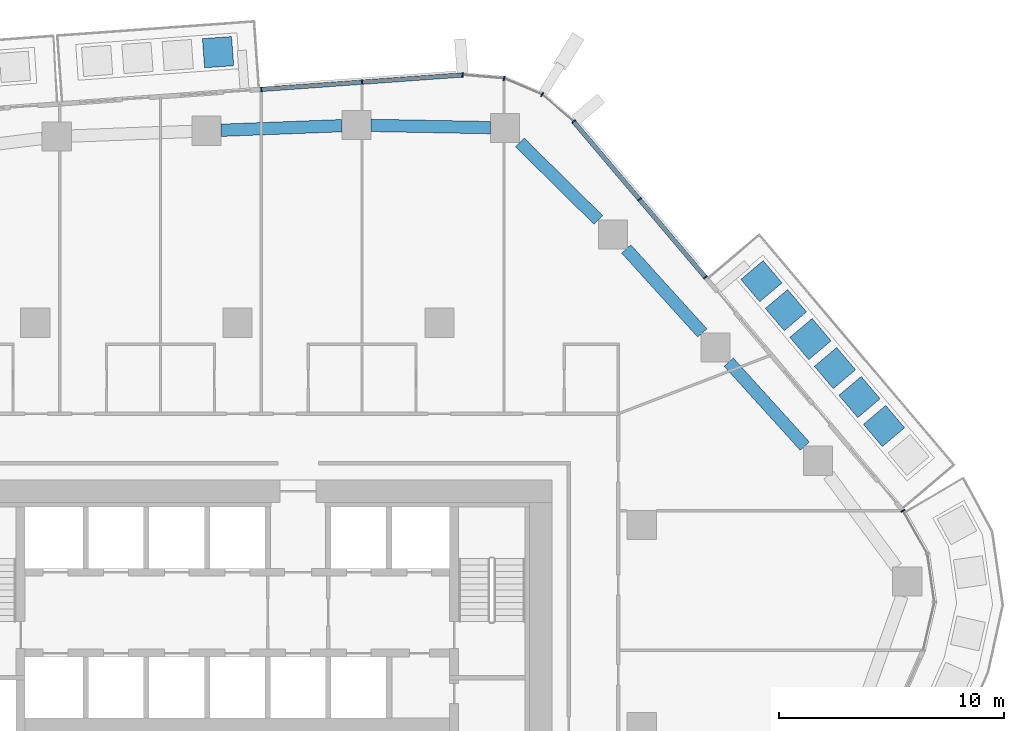
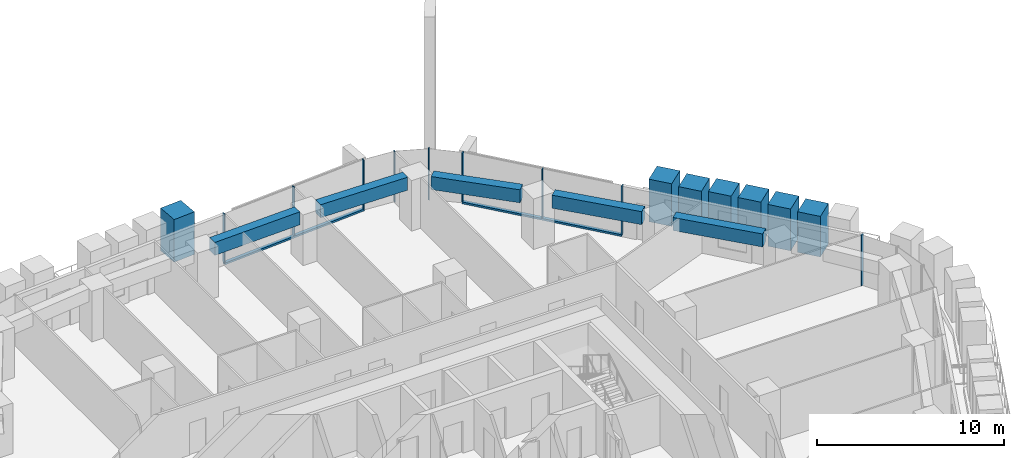
# One storey, part 8 of 24: 18 members, 5 beams, 4 elements without a shape of their own.
"""IFC4 building model written with IfcOpenShell, lengths in metres."""

from ifc_helpers import new_model, si_unit, direction, frame, origin, origin_2d, place, context, subcontext, project, spatial, rectangle, extrude, material, layer, layer_set, material_profile, profile_set, type_object, element, aggregate, save


model = new_model("IFC4")

# Units and contexts
model_context = context("Model", 3, precision=1e-05, world=origin(), true_north=direction((0.0, 1.0)))
body_context = subcontext(model_context, "Body", "Model", "MODEL_VIEW")
ifc_project = project(units=[si_unit("LENGTHUNIT", "METRE"), si_unit("AREAUNIT", "SQUARE_METRE"), si_unit("VOLUMEUNIT", "CUBIC_METRE"), si_unit("PLANEANGLEUNIT", "RADIAN"), si_unit("MASSUNIT", "GRAM", prefix="KILO")], contexts=[model_context])

# Site, building, storey
site_placement = place(None, origin())
site = spatial("IfcSite", under=ifc_project, at=site_placement, CompositionType="ELEMENT")
building_placement = place(site_placement, origin())
building = spatial("IfcBuilding", under=site, at=building_placement, Name="Dongbaek Canopy Tower", CompositionType="ELEMENT")
storey_placement = place(building_placement, frame((0.0, 0.0, 106.300048828125)))
storey = spatial("IfcBuildingStorey", under=building, at=storey_placement, Name="L22", CompositionType="ELEMENT", Elevation=106.300048828125)

# Curtain wall, member
ifc_material_1 = material(Name="Aluminium 6063-T6 pale anodised", Category="aluminium")
ifc_layer = layer(ifc_material_1, 0.199951171875)
ifc_layer_set = layer_set([ifc_layer], Name="CW-1 unitised tower curtain wall")
curtain_wall_type = type_object("IfcCurtainWallType", Name="CW-1 unitised tower curtain wall", PredefinedType="NOTDEFINED", material=ifc_layer_set)
curtain_wall_1_placement = place(storey_placement, origin())
curtain_wall_1 = element("IfcCurtainWall", 1, at=curtain_wall_1_placement, inside=storey, type_object=curtain_wall_type, Name="CW-1 curtain wall K0.1", PredefinedType="NOTDEFINED")
ifc_material_2 = material(Name="Aluminium 6063-T6 pale anodised", Category="aluminium")
ifc_material_profile_1 = material_profile(ifc_material_2, rectangle(XDim=0.199951171875, YDim=0.06005859375, at=origin_2d()), Name="CW-1 mullion 60 x 200")
ifc_profile_set_1 = profile_set([ifc_material_profile_1], Name="Aluminium 6063-T6 pale anodised")
member_type_1 = type_object("IfcMemberType", Name="CW-1 mullion 60 x 200", PredefinedType="MULLION", material=ifc_profile_set_1)
member_1_placement = place(storey_placement, frame((29.626220703125, 9.6357421875, 0.0), z_axis=(0.0, 0.0, 1.0), x_axis=(0.869723883779, 0.493538616507, 0.0)))
member_1 = element("IfcMember", 2, at=member_1_placement, type_object=member_type_1, Name="CW-1 mullion K0.1.4", PredefinedType="MULLION", context=body_context, shape_type="SweptSolid", body=[
    extrude(rectangle(XDim=0.199951171875, YDim=0.06005859375, at=origin_2d()), origin(), (0.0, 0.0, 1.0), 3.300048828125),
])
aggregate(curtain_wall_1, [member_1])

# Curtain wall, members
curtain_wall_2_placement = place(storey_placement, origin())
curtain_wall_2 = element("IfcCurtainWall", 3, at=curtain_wall_2_placement, inside=storey, type_object=curtain_wall_type, Name="CW-1 curtain wall F0.1", PredefinedType="NOTDEFINED")
member_2_placement = place(storey_placement, frame((20.830078125, 20.028076171875, 0.119873046875), z_axis=(0.0, 0.0, 1.0), x_axis=(0.763289924972, 0.646056104712, 0.0)))
member_2 = element("IfcMember", 4, at=member_2_placement, type_object=member_type_1, Name="CW-1 mullion F0.1.1", PredefinedType="MULLION", context=body_context, shape_type="SweptSolid", body=[
    extrude(rectangle(XDim=0.199951171875, YDim=0.06005859375, at=origin_2d()), origin(), (0.0, 0.0, 1.0), 3.18017578125),
])
member_3_placement = place(storey_placement, frame((17.89599609375, 23.49462890625, 0.119873046875), z_axis=(0.0, 0.0, 1.0), x_axis=(0.763289924972, 0.646056104712, 0.0)))
member_3 = element("IfcMember", 5, at=member_3_placement, type_object=member_type_1, Name="CW-1 mullion F0.1.2", PredefinedType="MULLION", context=body_context, shape_type="SweptSolid", body=[
    extrude(rectangle(XDim=0.199951171875, YDim=0.06005859375, at=origin_2d()), origin(), (0.0, 0.0, 1.0), 3.18017578125),
])
member_4_placement = place(storey_placement, frame((14.966796875, 26.955078125, 0.119873046875), z_axis=(0.0, 0.0, 1.0), x_axis=(0.763289924972, 0.646056104712, 0.0)))
member_4 = element("IfcMember", 6, at=member_4_placement, type_object=member_type_1, Name="CW-1 mullion F0.1.3", PredefinedType="MULLION", context=body_context, shape_type="SweptSolid", body=[
    extrude(rectangle(XDim=0.199951171875, YDim=0.06005859375, at=origin_2d()), origin(), (0.0, 0.0, 1.0), 3.18017578125),
])

curtain_wall_3_placement = place(storey_placement, origin())
curtain_wall_3 = element("IfcCurtainWall", 7, at=curtain_wall_3_placement, inside=storey, type_object=curtain_wall_type, Name="CW-1 curtain wall K1.1", PredefinedType="NOTDEFINED")
member_5_placement = place(storey_placement, frame((13.566650390625, 28.162841796875, 0.0), z_axis=(0.0, 0.0, 1.0), x_axis=(0.526936494686, 0.849904659693, 0.0)))
member_5 = element("IfcMember", 8, at=member_5_placement, type_object=member_type_1, Name="CW-1 mullion K1.1.2", PredefinedType="MULLION", context=body_context, shape_type="SweptSolid", body=[
    extrude(rectangle(XDim=0.199951171875, YDim=0.06005859375, at=origin_2d()), origin(), (0.0, 0.0, 1.0), 3.300048828125),
])
member_6_placement = place(storey_placement, frame((11.86962890625, 28.876953125, 0.0), z_axis=(0.0, 0.0, 1.0), x_axis=(0.239250398447, 0.970957901684, 0.0)))
member_6 = element("IfcMember", 9, at=member_6_placement, type_object=member_type_1, Name="CW-1 mullion K1.1.3", PredefinedType="MULLION", context=body_context, shape_type="SweptSolid", body=[
    extrude(rectangle(XDim=0.199951171875, YDim=0.06005859375, at=origin_2d()), origin(), (0.0, 0.0, 1.0), 3.300048828125),
])
member_7_placement = place(storey_placement, frame((10.02734375, 29.03369140625, 0.0), z_axis=(0.0, 0.0, 1.0), x_axis=(0.084792698641, 0.996398614139, 0.0)))
member_7 = element("IfcMember", 10, at=member_7_placement, type_object=member_type_1, Name="CW-1 mullion K1.1.4", PredefinedType="MULLION", context=body_context, shape_type="SweptSolid", body=[
    extrude(rectangle(XDim=0.199951171875, YDim=0.06005859375, at=origin_2d()), origin(), (0.0, 0.0, 1.0), 3.300048828125),
])
aggregate(curtain_wall_3, [member_5, member_6, member_7])

curtain_wall_4_placement = place(storey_placement, origin())
curtain_wall_4 = element("IfcCurtainWall", 11, at=curtain_wall_4_placement, inside=storey, type_object=curtain_wall_type, Name="CW-1 curtain wall F1.1", PredefinedType="NOTDEFINED")
member_8_placement = place(storey_placement, frame((5.549072265625, 28.71142578125, 0.119873046875), z_axis=(0.0, 0.0, 1.0), x_axis=(-0.071742796309, 0.997423165551, 0.0)))
member_8 = element("IfcMember", 12, at=member_8_placement, type_object=member_type_1, Name="CW-1 mullion F1.1.2", PredefinedType="MULLION", context=body_context, shape_type="SweptSolid", body=[
    extrude(rectangle(XDim=0.199951171875, YDim=0.06005859375, at=origin_2d()), origin(), (0.0, 0.0, 1.0), 3.18017578125),
])
member_9_placement = place(storey_placement, frame((1.06298828125, 28.388916015625, 0.119873046875), z_axis=(0.0, 0.0, 1.0), x_axis=(-0.071742796309, 0.997423165551, 0.0)))
member_9 = element("IfcMember", 13, at=member_9_placement, type_object=member_type_1, Name="CW-1 mullion F1.1.3", PredefinedType="MULLION", context=body_context, shape_type="SweptSolid", body=[
    extrude(rectangle(XDim=0.199951171875, YDim=0.06005859375, at=origin_2d()), origin(), (0.0, 0.0, 1.0), 3.18017578125),
])

# Member
ifc_material_3 = material(Name="Aluminium 6063-T6 pale anodised", Category="aluminium")
ifc_material_profile_2 = material_profile(ifc_material_3, rectangle(XDim=0.199951171875, YDim=0.1201171875, at=origin_2d()), Name="CW-1 transom 120 x 200")
ifc_profile_set_2 = profile_set([ifc_material_profile_2], Name="Aluminium 6063-T6 pale anodised")
member_type_2 = type_object("IfcMemberType", Name="CW-1 transom 120 x 200", PredefinedType="USERDEFINED", material=ifc_profile_set_2)
member_10_placement = place(storey_placement, frame((20.830078125, 20.028076171875, 0.06005859375), z_axis=(-0.646068855634, 0.763279132283, 0.0), x_axis=(-0.763279132283, -0.646068855634, 0.0)))
member_10 = element("IfcMember", 14, at=member_10_placement, type_object=member_type_2, Name="CW-1 transom F0.1.1", ObjectType="TRANSOM", PredefinedType="USERDEFINED", context=body_context, shape_type="SweptSolid", body=[
    extrude(rectangle(XDim=0.199951171875, YDim=0.1201171875, at=origin_2d()), origin(), (0.0, 0.0, 1.0), 9.075439453125),
])

aggregate(curtain_wall_2, [member_2, member_3, member_4, member_10])

member_11_placement = place(storey_placement, frame((10.02734375, 29.03369140625, 0.06005859375), z_axis=(-0.997423277442, -0.071741240692, 0.0), x_axis=(0.071741240692, -0.997423277442, 0.0)))
member_11 = element("IfcMember", 15, at=member_11_placement, type_object=member_type_2, Name="CW-1 transom F1.1.1", ObjectType="TRANSOM", PredefinedType="USERDEFINED", context=body_context, shape_type="SweptSolid", body=[
    extrude(rectangle(XDim=0.199951171875, YDim=0.1201171875, at=origin_2d()), origin(), (0.0, 0.0, 1.0), 8.987548828125),
])

aggregate(curtain_wall_4, [member_8, member_9, member_11])

# Beams
ifc_material_4 = material(Name="Concrete C80", Category="concrete")
ifc_material_profile_3 = material_profile(ifc_material_4, rectangle(XDim=0.550048828125, YDim=0.85009765625, at=origin_2d()), Name="RC EDGE BEAM 550x850 C80")
ifc_profile_set_3 = profile_set([ifc_material_profile_3], Name="Concrete C80")
beam_type = type_object("IfcBeamType", Name="RC EDGE BEAM 550x850 C80", PredefinedType="BEAM", material=ifc_profile_set_3)
beam_1_placement = place(storey_placement, frame((-0.721923828125, 26.56884765625, 2.875), z_axis=(0.999275939063, 0.03804730751, 0.0), x_axis=(-0.03804730751, 0.999275939063, 0.0)))
element("IfcBeam", 16, at=beam_1_placement, inside=storey, type_object=beam_type, Name="EDGEBEAM:L22:15", PredefinedType="BEAM", context=body_context, shape_type="SweptSolid", body=[
    extrude(rectangle(XDim=0.550048828125, YDim=0.85009765625, at=origin_2d()), origin(), (0.0, 0.0, 1.0), 5.370849609375),
])
beam_2_placement = place(storey_placement, frame((5.945068359375, 26.785888671875, 2.875), z_axis=(0.999824893163, -0.018713177504, 0.0), x_axis=(0.018713177504, 0.999824893163, 0.0)))
element("IfcBeam", 17, at=beam_2_placement, inside=storey, type_object=beam_type, Name="EDGEBEAM:L22:16", PredefinedType="BEAM", context=body_context, shape_type="SweptSolid", body=[
    extrude(rectangle(XDim=0.550048828125, YDim=0.85009765625, at=origin_2d()), origin(), (0.0, 0.0, 1.0), 5.322998046875),
])
beam_3_placement = place(storey_placement, frame((12.56689453125, 26.032470703125, 2.875), z_axis=(0.711707070228, -0.702476366995, 0.0), x_axis=(0.702476366995, 0.711707070228, 0.0)))
element("IfcBeam", 18, at=beam_3_placement, inside=storey, type_object=beam_type, Name="EDGEBEAM:L22:17", PredefinedType="BEAM", context=body_context, shape_type="SweptSolid", body=[
    extrude(rectangle(XDim=0.550048828125, YDim=0.85009765625, at=origin_2d()), origin(), (0.0, 0.0, 1.0), 4.91943359375),
])
beam_4_placement = place(storey_placement, frame((17.306640625, 21.284912109375, 2.875), z_axis=(0.671331632341, -0.741157094966, 0.0), x_axis=(0.741157094966, 0.671331632341, 0.0)))
element("IfcBeam", 19, at=beam_4_placement, inside=storey, type_object=beam_type, Name="EDGEBEAM:L22:18", PredefinedType="BEAM", context=body_context, shape_type="SweptSolid", body=[
    extrude(rectangle(XDim=0.550048828125, YDim=0.85009765625, at=origin_2d()), origin(), (0.0, 0.0, 1.0), 5.041748046875),
])
beam_5_placement = place(storey_placement, frame((21.86865234375, 16.248046875, 2.875), z_axis=(0.671270897358, -0.74121210349, 0.0), x_axis=(0.74121210349, 0.671270897358, 0.0)))
element("IfcBeam", 20, at=beam_5_placement, inside=storey, type_object=beam_type, Name="EDGEBEAM:L22:19", PredefinedType="BEAM", context=body_context, shape_type="SweptSolid", body=[
    extrude(rectangle(XDim=0.550048828125, YDim=0.85009765625, at=origin_2d()), origin(), (0.0, 0.0, 1.0), 5.04052734375),
])

# Members
ifc_material_5 = material(Name="Concrete C40/50 planter mass with planting", Category="concrete")
ifc_material_profile_4 = material_profile(ifc_material_5, rectangle(XDim=1.300048828125, YDim=1.300048828125, at=origin_2d()), Name="Terrace PLANTER shrub mass 1300 x 1300")
ifc_profile_set_4 = profile_set([ifc_material_profile_4], Name="Concrete C40/50 planter mass with planting")
member_type_3 = type_object("IfcMemberType", Name="Terrace PLANTER shrub mass 1300 x 1300", PredefinedType="USERDEFINED", material=ifc_profile_set_4)
member_12_placement = place(storey_placement, frame((28.780029296875, 13.406005859375, 0.419921875), z_axis=(0.0, 0.0, 1.0), x_axis=(0.763289924972, 0.646056104712, 0.0)))
element("IfcMember", 21, at=member_12_placement, inside=storey, type_object=member_type_3, Name="Planter shrubs L22 1.2", ObjectType="PLANTER", PredefinedType="USERDEFINED", context=body_context, shape_type="SweptSolid", body=[
    extrude(rectangle(XDim=1.300048828125, YDim=1.300048828125, at=origin_2d()), origin(), (0.0, 0.0, 1.0), 2.650146484375),
])
member_13_placement = place(storey_placement, frame((27.688720703125, 14.695556640625, 0.419921875), z_axis=(0.0, 0.0, 1.0), x_axis=(0.763289924972, 0.646056104712, 0.0)))
element("IfcMember", 22, at=member_13_placement, inside=storey, type_object=member_type_3, Name="Planter shrubs L22 1.3", ObjectType="PLANTER", PredefinedType="USERDEFINED", context=body_context, shape_type="SweptSolid", body=[
    extrude(rectangle(XDim=1.300048828125, YDim=1.300048828125, at=origin_2d()), origin(), (0.0, 0.0, 1.0), 2.72998046875),
])
member_14_placement = place(storey_placement, frame((26.597412109375, 15.98486328125, 0.419921875), z_axis=(0.0, 0.0, 1.0), x_axis=(0.763289924972, 0.646056104712, 0.0)))
element("IfcMember", 23, at=member_14_placement, inside=storey, type_object=member_type_3, Name="Planter shrubs L22 1.4", ObjectType="PLANTER", PredefinedType="USERDEFINED", context=body_context, shape_type="SweptSolid", body=[
    extrude(rectangle(XDim=1.300048828125, YDim=1.300048828125, at=origin_2d()), origin(), (0.0, 0.0, 1.0), 2.780029296875),
])
member_15_placement = place(storey_placement, frame((25.506103515625, 17.274169921875, 0.419921875), z_axis=(0.0, 0.0, 1.0), x_axis=(0.763289924972, 0.646056104712, 0.0)))
element("IfcMember", 24, at=member_15_placement, inside=storey, type_object=member_type_3, Name="Planter shrubs L22 1.5", ObjectType="PLANTER", PredefinedType="USERDEFINED", context=body_context, shape_type="SweptSolid", body=[
    extrude(rectangle(XDim=1.300048828125, YDim=1.300048828125, at=origin_2d()), origin(), (0.0, 0.0, 1.0), 2.77001953125),
])
member_16_placement = place(storey_placement, frame((24.414794921875, 18.5634765625, 0.419921875), z_axis=(0.0, 0.0, 1.0), x_axis=(0.763289924972, 0.646056104712, 0.0)))
element("IfcMember", 25, at=member_16_placement, inside=storey, type_object=member_type_3, Name="Planter shrubs L22 1.6", ObjectType="PLANTER", PredefinedType="USERDEFINED", context=body_context, shape_type="SweptSolid", body=[
    extrude(rectangle(XDim=1.300048828125, YDim=1.300048828125, at=origin_2d()), origin(), (0.0, 0.0, 1.0), 2.68994140625),
])
for number, where, z_axis, x_axis, name in (
    (26, (23.323486328125, 19.85302734375, 0.419921875), (0.0, 0.0, 1.0), (0.763289924972, 0.646056104712, 0.0), "Planter shrubs L22 1.7"),
    (27, (-0.8603515625, 30.045166015625, 0.419921875), (0.0, 0.0, 1.0), (-0.071742796309, 0.997423165551, 0.0), "Planter shrubs L22 2.1"),
):
    element("IfcMember", number, at=place(storey_placement, frame(where, z_axis=z_axis, x_axis=x_axis)), inside=storey, type_object=member_type_3, Name=name, ObjectType="PLANTER", PredefinedType="USERDEFINED", context=body_context, shape_type="SweptSolid", body=[
        extrude(rectangle(XDim=1.300048828125, YDim=1.300048828125, at=origin_2d()), origin(), (0.0, 0.0, 1.0), 2.780029296875),
    ])

save(model, "model.ifc")
